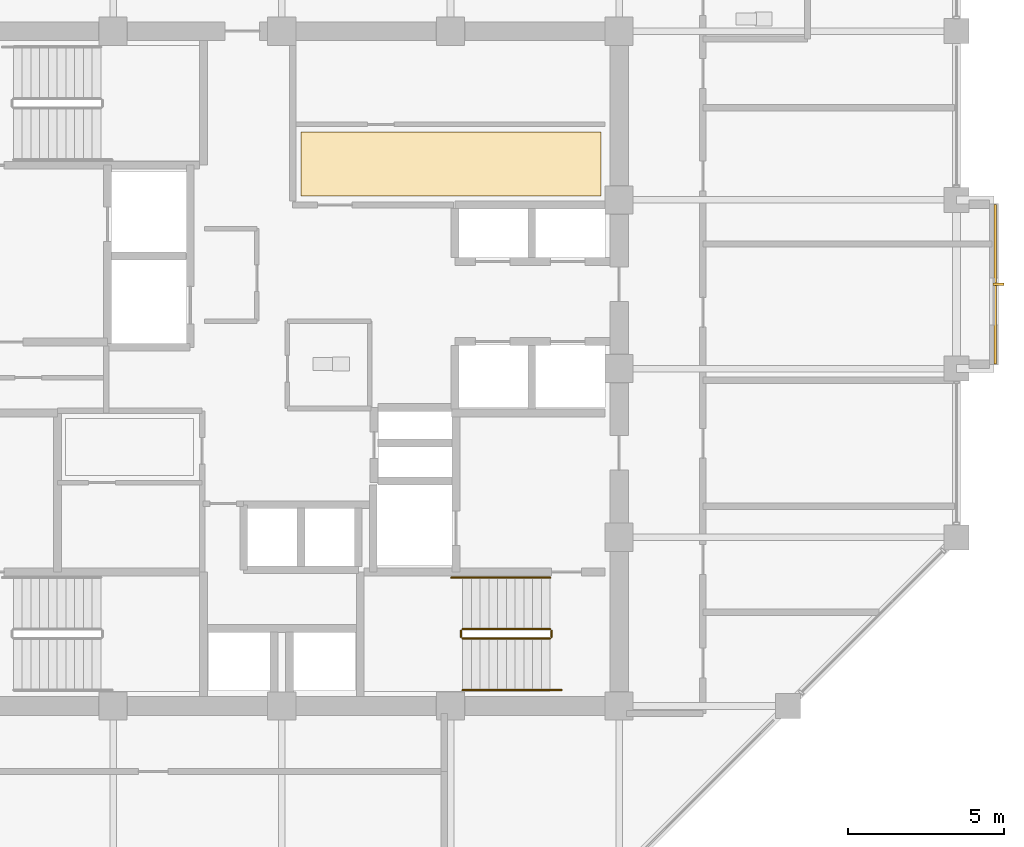
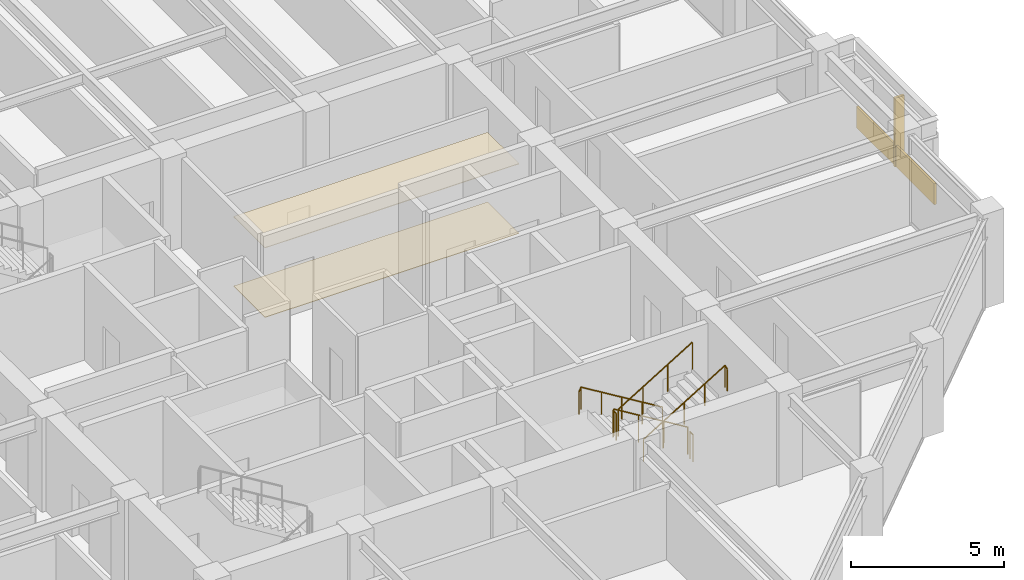
# One storey, part 27 of 28: 6 railings, 3 coverings, 1 shading device.
"""IFC4 building model written with IfcOpenShell, lengths in metres."""

from ifc_helpers import new_model, si_unit, direction, frame, origin, origin_2d, place, context, subcontext, project, spatial, polyline, rectangle, circle, outline, extrude, material, layer, layer_set, type_object, element, save


model = new_model("IFC4")

# Units and contexts
model_context = context("Model", 3, precision=1e-05, world=origin(), true_north=direction((0.0, 1.0)))
body_context = subcontext(model_context, "Body", "Model", "MODEL_VIEW")
ifc_project = project(units=[si_unit("LENGTHUNIT", "METRE"), si_unit("AREAUNIT", "SQUARE_METRE"), si_unit("VOLUMEUNIT", "CUBIC_METRE"), si_unit("PLANEANGLEUNIT", "RADIAN"), si_unit("MASSUNIT", "GRAM", prefix="KILO")], contexts=[model_context])

# Site, building, storey
site_placement = place(None, origin())
site = spatial("IfcSite", under=ifc_project, at=site_placement, CompositionType="ELEMENT")
building_placement = place(site_placement, origin())
building = spatial("IfcBuilding", under=site, at=building_placement, Name="Surkhivell Harbour Commons", CompositionType="ELEMENT")
storey_placement = place(building_placement, frame((0.0, 0.0, 242.25)))
storey = spatial("IfcBuildingStorey", under=building, at=storey_placement, Name="L63", CompositionType="ELEMENT", Elevation=242.25)

# Coverings
ifc_material_1 = material(Name="Perforated acoustic mineral-fibre ceiling tile", Category="other")
ifc_layer_1 = layer(ifc_material_1, 0.02490234375)
ifc_layer_set_1 = layer_set([ifc_layer_1], Name="Perforated acoustic mineral-fibre ceiling tile")
covering_type_1 = type_object("IfcCoveringType", Name="COV-CEIL-AC", PredefinedType="CEILING", material=ifc_layer_set_1)
covering_1_placement = place(storey_placement, frame((0.0, 0.0, 2.77490234375)))
element("IfcCovering", 1, at=covering_1_placement, inside=storey, type_object=covering_type_1, Name="L63 Suspended Acoustic Ceiling 1", PredefinedType="CEILING", context=body_context, shape_type="SweptSolid", body=[
    extrude(outline(polyline([(0.6201171875, 5.52001953125), (10.219970703125, 5.52001953125), (10.219970703125, 7.580078125), (0.6201171875, 7.580078125), (0.6201171875, 5.52001953125)])), origin(), (0.0, 0.0, 1.0), 0.025146484375),
])
ifc_material_2 = material(Name="Saffron-gold enamelled aluminium cassette panel", Category="aluminium")
ifc_layer_2 = layer(ifc_material_2, 0.070068359375)
ifc_layer_set_2 = layer_set([ifc_layer_2], Name="Saffron-gold enamelled aluminium cassette panel")
covering_type_2 = type_object("IfcCoveringType", Name="COV-CLAD-SAF", PredefinedType="CLADDING", material=ifc_layer_set_2)
covering_2_placement = place(storey_placement, frame((22.840087890625, 2.699951171875, 0.0), z_axis=(0.0, 0.0, 1.0), x_axis=(1.0, 0.0, 0.0)))
element("IfcCovering", 2, at=covering_2_placement, inside=storey, type_object=covering_type_2, Name="L63 Coloured-Panel Box Spandrel Cassette 01", PredefinedType="CLADDING", context=body_context, shape_type="SweptSolid", body=[
    extrude(rectangle(XDim=0.080078125, YDim=5.10009765625, at=origin_2d()), origin(), (0.0, 0.0, 1.0), 0.840087890625),
])
ifc_material_3 = material(Name="Engineered acoustic oak timber flooring", Category="wood")
ifc_layer_3 = layer(ifc_material_3, 0.02001953125)
ifc_layer_set_3 = layer_set([ifc_layer_3], Name="Engineered acoustic oak timber flooring")
covering_type_3 = type_object("IfcCoveringType", Name="COV-FLR-TIM", PredefinedType="FLOORING", material=ifc_layer_set_3)
covering_3_placement = place(storey_placement, origin())
element("IfcCovering", 3, at=covering_3_placement, inside=storey, type_object=covering_type_3, Name="L63 Interior Floor Finish 1", PredefinedType="FLOORING", context=body_context, shape_type="SweptSolid", body=[
    extrude(outline(polyline([(0.6201171875, 5.52001953125), (10.219970703125, 5.52001953125), (10.219970703125, 7.580078125), (0.6201171875, 7.580078125), (0.6201171875, 5.52001953125)])), origin(), (0.0, 0.0, 1.0), 0.02001953125),
])

# Railings
ifc_material_4 = material(Name="Galvanised and painted steel S355 guard rail", Category="steel")
railing_type_1 = type_object("IfcRailingType", Name="RAL-ST-GRD1100", PredefinedType="GUARDRAIL", material=ifc_material_4)
railing_1_placement = place(storey_placement, frame((8.590087890625, -8.340087890625, 0.17041015625)))
element("IfcRailing", 4, at=railing_1_placement, inside=storey, type_object=railing_type_1, Name="L63 ST2 stair guard 1", PredefinedType="GUARDRAIL", context=body_context, shape_type="SweptSolid", body=[
    extrude(circle(Radius=0.02392578125, at=origin_2d()), frame((0.0, 0.0, 1.076171875), z_axis=(-0.854169791009, 0.0, 0.51999420009), x_axis=(0.0, -1.0, 0.0)), (0.0, 0.0, 1.0), 3.278076171875),
    extrude(circle(Radius=0.02099609375, at=origin_2d()), origin(), (0.0, 0.0, 1.0), 1.052001953125),
    extrude(circle(Radius=0.02099609375, at=origin_2d()), frame((-0.933349609375, 0.0, 0.568115234375)), (0.0, 0.0, 1.0), 1.052001953125),
    extrude(circle(Radius=0.02099609375, at=origin_2d()), frame((-1.86669921875, 0.0, 1.136474609375)), (0.0, 0.0, 1.0), 1.052001953125),
    extrude(circle(Radius=0.02099609375, at=origin_2d()), frame((-2.800048828125, 0.0, 1.70458984375)), (0.0, 0.0, 1.0), 1.052001953125),
])
railing_2_placement = place(storey_placement, frame((5.739990234375, -8.389892578125, 1.875)))
element("IfcRailing", 5, at=railing_2_placement, inside=storey, type_object=railing_type_1, Name="L63 ST2 stair guard 2", PredefinedType="GUARDRAIL", context=body_context, shape_type="SweptSolid", body=[
    extrude(circle(Radius=0.02392578125, at=origin_2d()), frame((0.0, 0.0, 1.076171875), z_axis=(0.0, -1.0, 0.0), x_axis=(1.0, 0.0, 0.0)), (0.0, 0.0, 1.0), 0.2001953125),
    extrude(circle(Radius=0.02099609375, at=origin_2d()), origin(), (0.0, 0.0, 1.0), 1.052001953125),
    extrude(circle(Radius=0.02099609375, at=origin_2d()), frame((0.0, -0.2001953125, 0.0)), (0.0, 0.0, 1.0), 1.052001953125),
])
railing_3_placement = place(storey_placement, frame((5.7900390625, -8.639892578125, 2.04541015625)))
element("IfcRailing", 6, at=railing_3_placement, inside=storey, type_object=railing_type_1, Name="L63 ST2 stair guard 3", PredefinedType="GUARDRAIL", context=body_context, shape_type="SweptSolid", body=[
    extrude(circle(Radius=0.02392578125, at=origin_2d()), frame((0.0, 0.0, 1.076171875), z_axis=(0.854169791009, 0.0, 0.51999420009), x_axis=(0.0, 1.0, 0.0)), (0.0, 0.0, 1.0), 3.278076171875),
    extrude(circle(Radius=0.02099609375, at=origin_2d()), origin(), (0.0, 0.0, 1.0), 1.052001953125),
    extrude(circle(Radius=0.02099609375, at=origin_2d()), frame((0.933349609375, 0.0, 0.568115234375)), (0.0, 0.0, 1.0), 1.052001953125),
    extrude(circle(Radius=0.02099609375, at=origin_2d()), frame((1.86669921875, 0.0, 1.136474609375)), (0.0, 0.0, 1.0), 1.052001953125),
    extrude(circle(Radius=0.02099609375, at=origin_2d()), frame((2.800048828125, 0.0, 1.70458984375)), (0.0, 0.0, 1.0), 1.052001953125),
])
railing_4_placement = place(storey_placement, frame((8.639892578125, -8.389892578125, 0.0)))
element("IfcRailing", 7, at=railing_4_placement, inside=storey, type_object=railing_type_1, Name="L63 ST2 stair guard 4", PredefinedType="GUARDRAIL", context=body_context, shape_type="SweptSolid", body=[
    extrude(circle(Radius=0.02392578125, at=origin_2d()), frame((0.0, 0.0, 1.076171875), z_axis=(0.0, -1.0, 0.0), x_axis=(1.0, 0.0, 0.0)), (0.0, 0.0, 1.0), 0.2001953125),
    extrude(circle(Radius=0.02099609375, at=origin_2d()), origin(), (0.0, 0.0, 1.0), 1.052001953125),
    extrude(circle(Radius=0.02099609375, at=origin_2d()), frame((0.0, -0.2001953125, 0.0)), (0.0, 0.0, 1.0), 1.052001953125),
])
ifc_material_5 = material(Name="Brushed stainless steel S355 handrail", Category="steel")
railing_type_2 = type_object("IfcRailingType", Name="RAL-ST-HND900", PredefinedType="HANDRAIL", material=ifc_material_5)
railing_5_placement = place(storey_placement, frame((8.590087890625, -6.68994140625, 0.17041015625)))
element("IfcRailing", 8, at=railing_5_placement, inside=storey, type_object=railing_type_2, Name="L63 ST2 stair handrail 1", PredefinedType="HANDRAIL", context=body_context, shape_type="SweptSolid", body=[
    extrude(circle(Radius=0.02392578125, at=origin_2d()), frame((0.0, 0.0, 0.8759765625), z_axis=(-0.854177636135, 0.0, 0.519981313056), x_axis=(0.0, -1.0, 0.0)), (0.0, 0.0, 1.0), 3.60595703125),
    extrude(circle(Radius=0.02392578125, at=origin_2d()), frame((-3.080078125, 0.0, 2.7509765625), z_axis=(-0.425297416671, 0.0, -0.905053648892), x_axis=(0.0, -1.0, 0.0)), (0.0, 0.0, 1.0), 0.188232421875),
    extrude(circle(Radius=0.02099609375, at=origin_2d()), origin(), (0.0, 0.0, 1.0), 0.851806640625),
    extrude(circle(Radius=0.02099609375, at=origin_2d()), frame((-0.77001953125, 0.0, 0.46875)), (0.0, 0.0, 1.0), 0.851806640625),
    extrude(circle(Radius=0.02099609375, at=origin_2d()), frame((-1.5400390625, 0.0, 0.9375)), (0.0, 0.0, 1.0), 0.851806640625),
    extrude(circle(Radius=0.02099609375, at=origin_2d()), frame((-2.31005859375, 0.0, 1.40625)), (0.0, 0.0, 1.0), 0.851806640625),
    extrude(circle(Radius=0.02099609375, at=origin_2d()), frame((-3.080078125, 0.0, 1.875)), (0.0, 0.0, 1.0), 0.851806640625),
    extrude(circle(Radius=0.02099609375, at=origin_2d()), frame((-3.16015625, 0.0, 1.70458984375)), (0.0, 0.0, 1.0), 0.851806640625),
])
railing_6_placement = place(storey_placement, frame((5.7900390625, -10.2900390625, 2.04541015625)))
element("IfcRailing", 9, at=railing_6_placement, inside=storey, type_object=railing_type_2, Name="L63 ST2 stair handrail 2", PredefinedType="HANDRAIL", context=body_context, shape_type="SweptSolid", body=[
    extrude(circle(Radius=0.02392578125, at=origin_2d()), frame((0.0, 0.0, 0.8759765625), z_axis=(0.854177636135, 0.0, 0.519981313056), x_axis=(0.0, 1.0, 0.0)), (0.0, 0.0, 1.0), 3.60595703125),
    extrude(circle(Radius=0.02392578125, at=origin_2d()), frame((3.080078125, 0.0, 2.7509765625), z_axis=(0.424234432967, 0.0, -0.905552398199), x_axis=(0.0, 1.0, 0.0)), (0.0, 0.0, 1.0), 0.188232421875),
    extrude(circle(Radius=0.02099609375, at=origin_2d()), origin(), (0.0, 0.0, 1.0), 0.851806640625),
    extrude(circle(Radius=0.02099609375, at=origin_2d()), frame((0.77001953125, 0.0, 0.46875)), (0.0, 0.0, 1.0), 0.851806640625),
    extrude(circle(Radius=0.02099609375, at=origin_2d()), frame((1.5400390625, 0.0, 0.9375)), (0.0, 0.0, 1.0), 0.851806640625),
    extrude(circle(Radius=0.02099609375, at=origin_2d()), frame((2.31005859375, 0.0, 1.40625)), (0.0, 0.0, 1.0), 0.851806640625),
    extrude(circle(Radius=0.02099609375, at=origin_2d()), frame((3.080078125, 0.0, 1.875)), (0.0, 0.0, 1.0), 0.851806640625),
    extrude(circle(Radius=0.02099609375, at=origin_2d()), frame((3.159912109375, 0.0, 1.70458984375)), (0.0, 0.0, 1.0), 0.851806640625),
])

# Shading device
ifc_material_6 = material(Name="Anodised pale-metal aluminium solar fin", Category="aluminium")
shading_device_type = type_object("IfcShadingDeviceType", Name="SHD-FIN-VERT", PredefinedType="USERDEFINED", material=ifc_material_6)
shading_device_placement = place(storey_placement, frame((22.93994140625, 2.699951171875, 0.0048828125), z_axis=(0.0, 0.0, 1.0), x_axis=(1.0, 0.0, 0.0)))
element("IfcShadingDevice", 10, at=shading_device_placement, inside=storey, type_object=shading_device_type, Name="L63 Coloured-Box Solar Fin 01", ObjectType="FIN", PredefinedType="USERDEFINED", context=body_context, shape_type="SweptSolid", body=[
    extrude(rectangle(XDim=0.360107421875, YDim=0.090087890625, at=origin_2d()), origin(), (0.0, 0.0, 1.0), 2.75),
])

save(model, "model.ifc")
